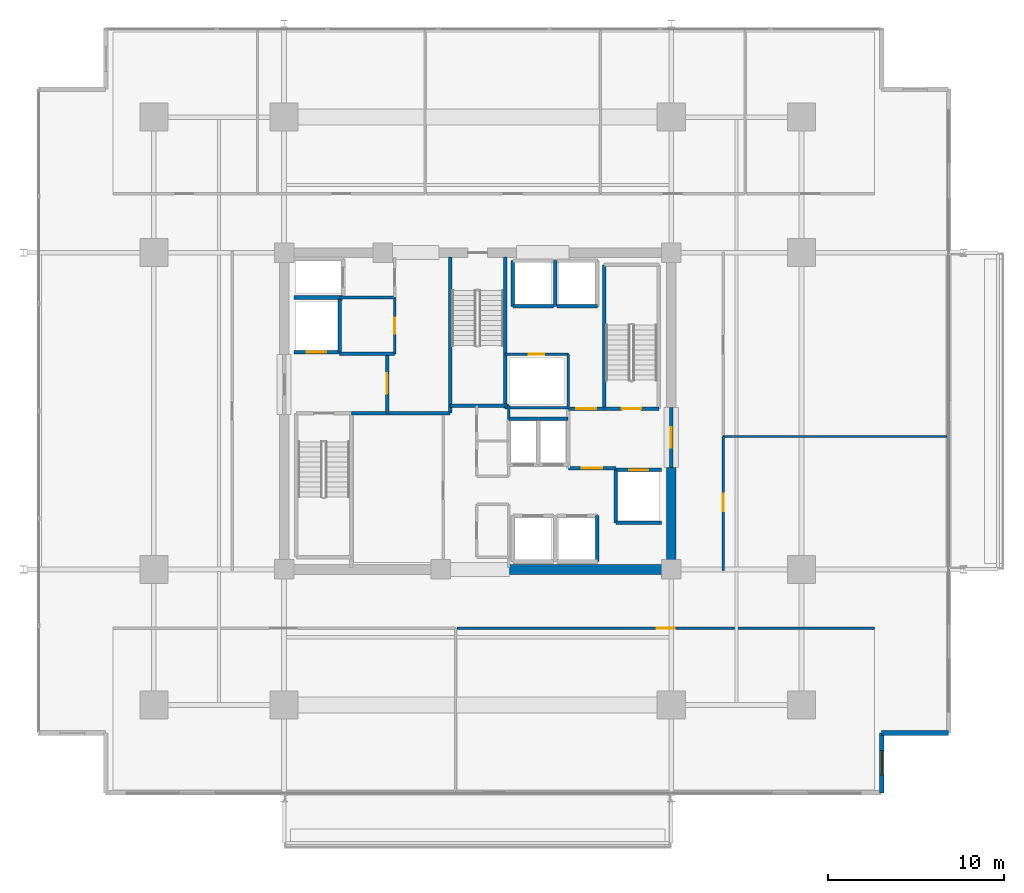
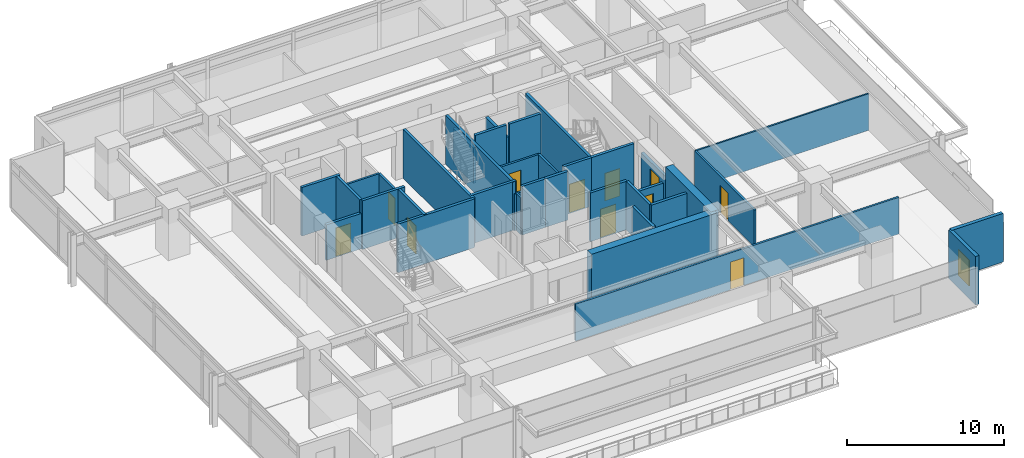
# One storey, part 14 of 21: 37 walls, 11 doors, 1 window, 12 openings.
"""IFC4 building model written with IfcOpenShell, lengths in metres."""

import ifcopenshell
import ifcopenshell.guid

model = None  # the IFC model being written
_history = None  # IfcOwnerHistory: only IFC2X3 demands one
_inside = {}  # id of a spatial element -> (the spatial element, [elements in it])
_under = {}  # id of a project, library or spatial element -> (it, [spatial elements below it])
_declared = {}  # id of a project -> (the project, [libraries it declares])
_typed = {}  # id of a type object -> (the type object, [elements of that type])
_made_of = {}  # id of a material, layer set ... -> (it, [elements and type objects made of it])


def new_model(schema):
    """Start an empty IFC model of exactly this schema.

    Asked for "IFC4X3", IfcOpenShell would pick the latest addendum, in which some entities
    have other attributes; the version numbers below select the first issue.
    IFC2X3 requires an IfcOwnerHistory on every rooted entity: one is made here for all.
    """
    global model, _history
    if schema == "IFC4X3":
        model = ifcopenshell.file(schema_version=(4, 3, 0, 0))
    else:
        model = ifcopenshell.file(schema=schema)
    _inside.clear()
    _under.clear()
    _declared.clear()
    _typed.clear()
    _made_of.clear()
    _history = None
    if model.schema == "IFC2X3":
        org = make("IfcOrganization", Name="unknown")
        user = make(
            "IfcPersonAndOrganization",
            ThePerson=make("IfcPerson", FamilyName="unknown"),
            TheOrganization=org,
        )
        app = make(
            "IfcApplication",
            ApplicationDeveloper=org,
            Version="unknown",
            ApplicationFullName="unknown",
            ApplicationIdentifier="unknown",
        )
        _history = make(
            "IfcOwnerHistory",
            OwningUser=user,
            OwningApplication=app,
            ChangeAction="ADDED",
            CreationDate=0,
        )
    return model


def make(cls, **values):
    """One entity of the class cls with the attributes given. An attribute that is None is left unset."""
    return model.create_entity(
        cls, **{name: value for name, value in values.items() if value is not None}
    )


def rooted(cls, **values):
    """An entity with a GlobalId (a new one), such as an element, a storey or a relation."""
    return make(cls, GlobalId=ifcopenshell.guid.new(), OwnerHistory=_history, **values)


def si_unit(unit_type, name, prefix=None):
    """IfcSIUnit, for example si_unit("LENGTHUNIT", "METRE", prefix="MILLI")."""
    return make("IfcSIUnit", UnitType=unit_type, Prefix=prefix, Name=name)


def assignment(units):
    """IfcUnitAssignment: the units of a project."""
    return None if units is None else make("IfcUnitAssignment", Units=units)


def point(xyz):
    """IfcCartesianPoint."""
    return None if xyz is None else make("IfcCartesianPoint", Coordinates=xyz)


def direction(xyz):
    """IfcDirection."""
    return None if xyz is None else make("IfcDirection", DirectionRatios=xyz)


def frame(location, z_axis=None, x_axis=None):
    """IfcAxis2Placement3D, a coordinate frame: its origin and axes. An axis left out is left unset."""
    return make(
        "IfcAxis2Placement3D",
        Location=point(location),
        Axis=direction(z_axis),
        RefDirection=direction(x_axis),
    )


def frame_2d(location, x_axis=None):
    """IfcAxis2Placement2D, a coordinate frame in the plane: its origin and x axis."""
    return make(
        "IfcAxis2Placement2D", Location=point(location), RefDirection=direction(x_axis)
    )


def origin():
    """The frame at (0, 0, 0) with its axes left unset."""
    return frame((0.0, 0.0, 0.0))


def place(relative_to, where):
    """IfcLocalPlacement: puts the frame where relative to a parent placement (None: the world)."""
    return make(
        "IfcLocalPlacement", PlacementRelTo=relative_to, RelativePlacement=where
    )


def context(
    kind, dimensions, precision=None, world=None, true_north=None, identifier=None
):
    """IfcGeometricRepresentationContext, for example the 3D "Model" context."""
    return make(
        "IfcGeometricRepresentationContext",
        ContextIdentifier=identifier,
        ContextType=kind,
        CoordinateSpaceDimension=dimensions,
        Precision=precision,
        WorldCoordinateSystem=world,
        TrueNorth=true_north,
    )


def subcontext(parent, identifier, kind, view, scale=None):
    """IfcGeometricRepresentationSubContext, for example "Body" below "Model"."""
    return make(
        "IfcGeometricRepresentationSubContext",
        ContextIdentifier=identifier,
        ContextType=kind,
        ParentContext=parent,
        TargetScale=scale,
        TargetView=view,
    )


def project(units=None, contexts=None):
    """IfcProject with its units and contexts."""
    return rooted(
        "IfcProject",
        Name="project",
        RepresentationContexts=contexts,
        UnitsInContext=assignment(units),
    )


def spatial(cls, under=None, at=None, **own):
    """A site, building, storey or space (cls), placed at a placement, below another one or the project."""
    s = rooted(cls, ObjectPlacement=at, **own)
    if under is not None:
        _under.setdefault(under.id(), (under, []))[1].append(s)
    return s


def profile(cls, at=None, kind="AREA", **sizes):
    """A parametric profile (cls). Its sizes go by their IFC names, for example OverallWidth=200.0."""
    return make(cls, ProfileType=kind, Position=at, **sizes)


def rectangle(**sizes):
    """IfcRectangleProfileDef."""
    return profile("IfcRectangleProfileDef", **sizes)


def extrude(swept, where, along, depth):
    """IfcExtrudedAreaSolid: the profile swept, set in the frame where, extruded along a direction by depth."""
    return make(
        "IfcExtrudedAreaSolid",
        SweptArea=swept,
        Position=where,
        ExtrudedDirection=direction(along),
        Depth=depth,
    )


def shape(context_of_items, identifier, shape_type, items):
    """IfcShapeRepresentation: the items that make up one representation, for example the "Body"."""
    return make(
        "IfcShapeRepresentation",
        ContextOfItems=context_of_items,
        RepresentationIdentifier=identifier,
        RepresentationType=shape_type,
        Items=items,
    )


def material(Name=None, Category=None):
    """IfcMaterial."""
    return make("IfcMaterial", Name=Name, Category=Category)


def layer(
    of_material, thickness, ventilated=None, Name=None, Category=None, Priority=None
):
    """IfcMaterialLayer: one layer of a wall or slab, of a material (None: an air gap)."""
    return make(
        "IfcMaterialLayer",
        Material=of_material,
        LayerThickness=thickness,
        IsVentilated=ventilated,
        Name=Name,
        Category=Category,
        Priority=Priority,
    )


def layer_set(layers, Name=None):
    """IfcMaterialLayerSet."""
    return make("IfcMaterialLayerSet", MaterialLayers=layers, LayerSetName=Name)


def made_of(thing, what):
    """Note that an element or type object is made of a material, layer set ...; save() writes the relation."""
    if what is not None:
        _made_of.setdefault(what.id(), (what, []))[1].append(thing)
    return thing


def type_object(cls, material=None, **own):
    """A type object (cls), such as IfcWallType, which elements share."""
    return made_of(rooted(cls, **own), material)


def element(
    cls,
    number,
    at=None,
    inside=None,
    cuts=None,
    type_object=None,
    material=None,
    context=None,
    identifier="Body",
    shape_type=None,
    held_by="IfcProductDefinitionShape",
    body=None,
    shapes=None,
    **own,
):
    """One element of the class cls, such as IfcWall. Its Tag is "e" and its number.

    at: its placement. inside: the storey or other place that contains it. cuts: it is an
    opening in that element (IfcRelVoidsElement). A single representation is given by context,
    identifier, shape_type and body (its items); several are given by shapes. held_by: the class
    of the entity that holds the representations. save() writes the other relations.
    """
    e = rooted(cls, Tag="e%d" % number, ObjectPlacement=at, **own)
    if body is not None:
        shapes = [shape(context, identifier, shape_type, body)]
    if shapes is not None:
        e.Representation = make(held_by, Representations=shapes)
    if inside is not None:
        _inside.setdefault(inside.id(), (inside, []))[1].append(e)
    if cuts is not None:
        rooted(
            "IfcRelVoidsElement", RelatingBuildingElement=cuts, RelatedOpeningElement=e
        )
    if type_object is not None:
        _typed.setdefault(type_object.id(), (type_object, []))[1].append(e)
    return made_of(e, material)


def fill(opening, filler):
    """IfcRelFillsElement: the door or window that sits in an opening."""
    return rooted(
        "IfcRelFillsElement",
        RelatingOpeningElement=opening,
        RelatedBuildingElement=filler,
    )


def aggregate(whole, parts):
    """IfcRelAggregates: a whole, such as a stair, and the parts it consists of."""
    return rooted("IfcRelAggregates", RelatingObject=whole, RelatedObjects=parts)


def save(model, path):
    """Write the relations noted so far, then the file.

    IfcRelAggregates (storeys below a building ...), IfcRelContainedInSpatialStructure (elements
    in a storey), IfcRelDefinesByType, IfcRelAssociatesMaterial and IfcRelDeclares: one each for
    every whole, place, type object, material and project.
    """
    for whole, parts in _under.values():
        aggregate(whole, parts)
    for where, things in _inside.values():
        rooted(
            "IfcRelContainedInSpatialStructure",
            RelatedElements=things,
            RelatingStructure=where,
        )
    for kind, things in _typed.values():
        rooted("IfcRelDefinesByType", RelatedObjects=things, RelatingType=kind)
    for what, things in _made_of.values():
        rooted("IfcRelAssociatesMaterial", RelatedObjects=things, RelatingMaterial=what)
    for by, libraries in _declared.values():
        rooted("IfcRelDeclares", RelatingContext=by, RelatedDefinitions=libraries)
    model.write(path)


model = new_model("IFC4")

# Units and contexts
model_context = context("Model", 3, precision=1e-05, world=origin(), true_north=direction((0.0, 1.0)))
body_context = subcontext(model_context, "Body", "Model", "MODEL_VIEW")
ifc_project = project(units=[si_unit("LENGTHUNIT", "METRE"), si_unit("AREAUNIT", "SQUARE_METRE"), si_unit("VOLUMEUNIT", "CUBIC_METRE"), si_unit("PLANEANGLEUNIT", "RADIAN"), si_unit("MASSUNIT", "GRAM", prefix="KILO")], contexts=[model_context])

# Site, building, storey
site_placement = place(None, origin())
site = spatial("IfcSite", under=ifc_project, at=site_placement, CompositionType="ELEMENT")
building_placement = place(site_placement, origin())
building = spatial("IfcBuilding", under=site, at=building_placement, Name="Kovane Verandah Tower", CompositionType="ELEMENT")
storey_placement = place(building_placement, frame((0.0, 0.0, 176.39990234375)))
storey = spatial("IfcBuildingStorey", under=building, at=storey_placement, Name="L41", CompositionType="ELEMENT", Elevation=176.39990234375)

# Walls
ifc_material_1 = material(Name="Fire-Rated Gypsum Stud Partition", Category="gypsum")
ifc_layer_1 = layer(ifc_material_1, 0.14990234375)
ifc_layer_set_1 = layer_set([ifc_layer_1], Name="Fire-Rated Gypsum Stud Partition")
wall_type_1 = type_object("IfcWallType", Name="WL-COR-150", PredefinedType="PARTITIONING", material=ifc_layer_set_1)
wall_1_placement = place(storey_placement, frame((41.760009765625, 27.050048828125, 0.0), z_axis=(0.0, 0.0, 1.0), x_axis=(0.0, 1.0, 0.0)))
element("IfcWall", 1, at=wall_1_placement, inside=storey, type_object=wall_type_1, Name="L41 Central Core Strip Upper East Wall", PredefinedType="PARTITIONING", context=body_context, shape_type="SweptSolid", body=[
    extrude(rectangle(XDim=0.75, YDim=0.14990234375, at=frame_2d((0.375, 0.0))), origin(), (0.0, 0.0, 1.0), 2.85009765625),
])
wall_2_placement = place(storey_placement, frame((32.14990234375, 33.949951171875, 0.0), z_axis=(0.0, 0.0, 1.0), x_axis=(1.0, 0.0, 0.0)))
element("IfcWall", 2, at=wall_2_placement, inside=storey, type_object=wall_type_1, Name="L41 Goods Lift Lobby South Wall", PredefinedType="PARTITIONING", context=body_context, shape_type="SweptSolid", body=[
    extrude(rectangle(XDim=3.130126953125, YDim=0.14990234375, at=frame_2d((1.56494140625, 0.0))), origin(), (0.0, 0.0, 1.0), 2.85009765625),
])

# Wall, opening, door
wall_3_placement = place(storey_placement, frame((35.280029296875, 30.75, 0.0), z_axis=(0.0, 0.0, 1.0), x_axis=(0.0, 1.0, 0.0)))
wall_3 = element("IfcWall", 3, at=wall_3_placement, inside=storey, type_object=wall_type_1, Name="L41 Accessible Unisex Toilet Partition", PredefinedType="PARTITIONING", context=body_context, shape_type="SweptSolid", body=[
    extrude(rectangle(XDim=3.199951171875, YDim=0.14990234375, at=frame_2d((1.60009765625, 0.0))), origin(), (0.0, 0.0, 1.0), 2.85009765625),
])
opening_1_placement = place(wall_3_placement, frame((1.14990234375, 0.0, 0.0)))
opening_1 = element("IfcOpeningElement", 4, at=opening_1_placement, cuts=wall_3, Name="Opening DR-L41-024", PredefinedType="OPENING", context=body_context, shape_type="SweptSolid", body=[
    extrude(rectangle(XDim=0.89990234375, YDim=2.10009765625, at=frame_2d((0.449951171875, 1.050048828125))), frame((0.0, 0.074951171875, 0.0), z_axis=(0.0, -1.0, 0.0), x_axis=(1.0, 0.0, 0.0)), (0.0, 0.0, 1.0), 0.14990234375),
])
ifc_material_2 = material(Name="Moisture-Resistant Laminate Washroom Door", Category="wood")
door_type_1 = type_object("IfcDoorType", Name="DR-WC-900", OperationType="SINGLE_SWING_LEFT", PredefinedType="DOOR", material=ifc_material_2)
door_1_placement = place(opening_1_placement, origin())
door_1 = element("IfcDoor", 5, at=door_1_placement, inside=storey, type_object=door_type_1, Name="L41 Accessible Unisex Toilet Door", OperationType="SINGLE_SWING_RIGHT", OverallHeight=2.10009765625, OverallWidth=0.89990234375, PredefinedType="DOOR", context=body_context, shape_type="SweptSolid", body=[
    extrude(rectangle(XDim=0.89990234375, YDim=2.10009765625, at=frame_2d((0.449951171875, 1.050048828125))), frame((0.0, 0.02490234375, 0.0), z_axis=(0.0, -1.0, 0.0), x_axis=(1.0, 0.0, 0.0)), (0.0, 0.0, 1.0), 0.050048828125),
])
fill(opening_1, door_1)

# Walls
wall_4_placement = place(storey_placement, frame((41.56005859375, 27.679931640625, 0.0), z_axis=(0.0, 0.0, 1.0), x_axis=(1.0, 0.0, 0.0)))
element("IfcWall", 6, at=wall_4_placement, inside=storey, type_object=wall_type_1, Name="L41 East Core Service Riser South Wall", PredefinedType="PARTITIONING", context=body_context, shape_type="SweptSolid", body=[
    extrude(rectangle(XDim=3.58984375, YDim=0.14990234375, at=frame_2d((1.794921875, 0.0))), origin(), (0.0, 0.0, 1.0), 2.85009765625),
])
wall_5_placement = place(storey_placement, frame((45.14990234375, 27.6201171875, 0.0), z_axis=(0.0, 0.0, 1.0), x_axis=(0.0, 1.0, 0.0)))
element("IfcWall", 7, at=wall_5_placement, inside=storey, type_object=wall_type_1, Name="L41 East Core Service Riser East Wall", PredefinedType="PARTITIONING", context=body_context, shape_type="SweptSolid", body=[
    extrude(rectangle(XDim=3.099853515625, YDim=0.14990234375, at=frame_2d((1.5498046875, 0.0))), origin(), (0.0, 0.0, 1.0), 2.85009765625),
])

# Wall, opening, door
wall_6_placement = place(storey_placement, frame((41.56005859375, 30.719970703125, 0.0), z_axis=(0.0, 0.0, 1.0), x_axis=(1.0, 0.0, 0.0)))
wall_6 = element("IfcWall", 8, at=wall_6_placement, inside=storey, type_object=wall_type_1, Name="L41 Combined Chilled Water and Smoke Duct Room Partition", PredefinedType="PARTITIONING", context=body_context, shape_type="SweptSolid", body=[
    extrude(rectangle(XDim=3.58984375, YDim=0.14990234375, at=frame_2d((1.794921875, 0.0))), origin(), (0.0, 0.0, 1.0), 2.85009765625),
])
opening_2_placement = place(wall_6_placement, frame((1.35498046875, 0.0, 0.0)))
opening_2 = element("IfcOpeningElement", 9, at=opening_2_placement, cuts=wall_6, Name="Opening DR-L41-015", PredefinedType="OPENING", context=body_context, shape_type="SweptSolid", body=[
    extrude(rectangle(XDim=0.8798828125, YDim=2.10009765625, at=frame_2d((0.43994140625, 1.050048828125))), frame((0.0, 0.074951171875, 0.0), z_axis=(0.0, -1.0, 0.0), x_axis=(1.0, 0.0, 0.0)), (0.0, 0.0, 1.0), 0.14990234375),
])
ifc_material_3 = material(Name="Fire-Rated Steel Riser Access Door", Category="steel")
door_type_2 = type_object("IfcDoorType", Name="DR-RISER-880", OperationType="SINGLE_SWING_LEFT", PredefinedType="DOOR", material=ifc_material_3)
door_2_placement = place(opening_2_placement, origin())
door_2 = element("IfcDoor", 10, at=door_2_placement, inside=storey, type_object=door_type_2, Name="L41 Combined Chilled Water and Smoke Duct Room Door", OperationType="SINGLE_SWING_RIGHT", OverallHeight=2.10009765625, OverallWidth=0.8798828125, PredefinedType="DOOR", context=body_context, shape_type="SweptSolid", body=[
    extrude(rectangle(XDim=0.8798828125, YDim=2.10009765625, at=frame_2d((0.43994140625, 1.050048828125))), frame((0.0, 0.02490234375, 0.0), z_axis=(0.0, -1.0, 0.0), x_axis=(1.0, 0.0, 0.0)), (0.0, 0.0, 1.0), 0.050048828125),
])
fill(opening_2, door_2)

wall_7_placement = place(storey_placement, frame((38.8154296875, 15.14990234375, 0.0), z_axis=(0.0, 0.0, 1.0), x_axis=(1.0, 0.0, 0.0)))
wall_7 = element("IfcWall", 11, at=wall_7_placement, inside=storey, type_object=wall_type_1, Name="L41 Meeting Room S2 Corridor Partition", PredefinedType="PARTITIONING", context=body_context, shape_type="SweptSolid", body=[
    extrude(rectangle(XDim=23.740234375, YDim=0.14990234375, at=frame_2d((11.8701171875, 0.0))), origin(), (0.0, 0.0, 1.0), 2.85009765625),
])
opening_3_placement = place(wall_7_placement, frame((11.3701171875, 0.0, 0.0)))
opening_3 = element("IfcOpeningElement", 12, at=opening_3_placement, cuts=wall_7, Name="Opening DR-L41-022", PredefinedType="OPENING", context=body_context, shape_type="SweptSolid", body=[
    extrude(rectangle(XDim=1.0, YDim=2.14990234375, at=frame_2d((0.5, 1.074951171875))), frame((0.0, 0.074951171875, 0.0), z_axis=(0.0, -1.0, 0.0), x_axis=(1.0, 0.0, 0.0)), (0.0, 0.0, 1.0), 0.14990234375),
])
ifc_material_4 = material(Name="FSC Spotted-Gum Timber Fire-Rated Office Door", Category="wood")
door_type_3 = type_object("IfcDoorType", Name="DR-OFF-1000", OperationType="SINGLE_SWING_LEFT", PredefinedType="DOOR", material=ifc_material_4)
door_3_placement = place(opening_3_placement, origin())
door_3 = element("IfcDoor", 13, at=door_3_placement, inside=storey, type_object=door_type_3, Name="L41 Meeting Room S2 Entrance Door", OperationType="SINGLE_SWING_LEFT", OverallHeight=2.14990234375, OverallWidth=1.0, PredefinedType="DOOR", context=body_context, shape_type="SweptSolid", body=[
    extrude(rectangle(XDim=1.0, YDim=2.14990234375, at=frame_2d((0.5, 1.074951171875))), frame((0.0, 0.02490234375, 0.0), z_axis=(0.0, -1.0, 0.0), x_axis=(1.0, 0.0, 0.0)), (0.0, 0.0, 1.0), 0.050048828125),
])
fill(opening_3, door_3)

wall_8_placement = place(storey_placement, frame((53.949951171875, 18.449951171875, 0.0), z_axis=(0.0, 0.0, 1.0), x_axis=(0.0, 1.0, 0.0)))
wall_8 = element("IfcWall", 14, at=wall_8_placement, inside=storey, type_object=wall_type_1, Name="L41 Breakout Pantry E1 Corridor Partition", PredefinedType="PARTITIONING", context=body_context, shape_type="SweptSolid", body=[
    extrude(rectangle(XDim=7.60205078125, YDim=0.14990234375, at=frame_2d((3.801025390625, 0.0))), origin(), (0.0, 0.0, 1.0), 2.85009765625),
])
opening_4_placement = place(wall_8_placement, frame((3.341064453125, 0.0, 0.0)))
opening_4 = element("IfcOpeningElement", 15, at=opening_4_placement, cuts=wall_8, Name="Opening DR-L41-012", PredefinedType="OPENING", context=body_context, shape_type="SweptSolid", body=[
    extrude(rectangle(XDim=1.0, YDim=2.14990234375, at=frame_2d((0.5, 1.074951171875))), frame((0.0, 0.074951171875, 0.0), z_axis=(0.0, -1.0, 0.0), x_axis=(1.0, 0.0, 0.0)), (0.0, 0.0, 1.0), 0.14990234375),
])
door_4_placement = place(opening_4_placement, origin())
door_4 = element("IfcDoor", 16, at=door_4_placement, inside=storey, type_object=door_type_3, Name="L41 Breakout Pantry E1 Entrance Door", OperationType="SINGLE_SWING_LEFT", OverallHeight=2.14990234375, OverallWidth=1.0, PredefinedType="DOOR", context=body_context, shape_type="SweptSolid", body=[
    extrude(rectangle(XDim=1.0, YDim=2.14990234375, at=frame_2d((0.5, 1.074951171875))), frame((0.0, 0.02490234375, 0.0), z_axis=(0.0, -1.0, 0.0), x_axis=(1.0, 0.0, 0.0)), (0.0, 0.0, 1.0), 0.050048828125),
])
fill(opening_4, door_4)

# Walls
ifc_material_5 = material(Name="Concrete C60/75", Category="concrete")
ifc_layer_2 = layer(ifc_material_5, 0.550048828125)
ifc_layer_set_2 = layer_set([ifc_layer_2], Name="Concrete C60/75")
wall_type_2 = type_object("IfcWallType", Name="WL-CORE-550", PredefinedType="SHEAR", material=ifc_layer_set_2)
wall_9_placement = place(storey_placement, frame((41.800048828125, 18.5, 0.0), z_axis=(0.0, 0.0, 1.0), x_axis=(1.0, 0.0, 0.0)))
element("IfcWall", 17, at=wall_9_placement, inside=storey, type_object=wall_type_2, Name="L41 Core Shear Wall CS-2", PredefinedType="SHEAR", context=body_context, shape_type="SweptSolid", body=[
    extrude(rectangle(XDim=9.199951171875, YDim=0.550048828125, at=frame_2d((4.60009765625, 0.0))), origin(), (0.0, 0.0, 1.0), 3.775146484375),
])
wall_10_placement = place(storey_placement, frame((51.0, 18.5, 0.0), z_axis=(0.0, 0.0, 1.0), x_axis=(0.0, 1.0, 0.0)))
element("IfcWall", 18, at=wall_10_placement, inside=storey, type_object=wall_type_2, Name="L41 Core Shear Wall CE-1", PredefinedType="SHEAR", context=body_context, shape_type="SweptSolid", body=[
    extrude(rectangle(XDim=5.800048828125, YDim=0.550048828125, at=frame_2d((2.89990234375, 0.0))), origin(), (0.0, 0.0, 1.0), 3.775146484375),
])

# Wall, opening, door
ifc_material_6 = material(Name="Concrete C45/55 Fire Wall", Category="concrete")
ifc_layer_3 = layer(ifc_material_6, 0.199951171875)
ifc_layer_set_3 = layer_set([ifc_layer_3], Name="Concrete C45/55 Fire Wall")
wall_type_3 = type_object("IfcWallType", Name="WL-FFL-200", PredefinedType="PARTITIONING", material=ifc_layer_set_3)
wall_11_placement = place(storey_placement, frame((34.85009765625, 27.3798828125, 0.0), z_axis=(0.0, 0.0, 1.0), x_axis=(0.0, 1.0, 0.0)))
wall_11 = element("IfcWall", 19, at=wall_11_placement, inside=storey, type_object=wall_type_3, Name="W-L41-FFLW-E", PredefinedType="PARTITIONING", context=body_context, shape_type="SweptSolid", body=[
    extrude(rectangle(XDim=3.3701171875, YDim=0.199951171875, at=frame_2d((1.68505859375, 0.0))), origin(), (0.0, 0.0, 1.0), 3.775146484375),
])
opening_5_placement = place(wall_11_placement, frame((1.110107421875, 0.0, 0.0)))
opening_5 = element("IfcOpeningElement", 20, at=opening_5_placement, cuts=wall_11, Name="Opening DR-L41-006", PredefinedType="OPENING", context=body_context, shape_type="SweptSolid", body=[
    extrude(rectangle(XDim=1.14990234375, YDim=2.199951171875, at=frame_2d((0.574951171875, 1.10009765625))), frame((0.0, 0.10009765625, 0.0), z_axis=(0.0, -1.0, 0.0), x_axis=(1.0, 0.0, 0.0)), (0.0, 0.0, 1.0), 0.199951171875),
])
ifc_material_7 = material(Name="Smoke-Sealed Firefighting Lobby Door", Category="steel")
door_type_4 = type_object("IfcDoorType", Name="DR-FFL-1150", OperationType="SINGLE_SWING_LEFT", PredefinedType="DOOR", material=ifc_material_7)
door_5_placement = place(opening_5_placement, origin())
door_5 = element("IfcDoor", 21, at=door_5_placement, inside=storey, type_object=door_type_4, Name="L41 West Firefighting Lobby Inner Door", OperationType="SINGLE_SWING_LEFT", OverallHeight=2.199951171875, OverallWidth=1.14990234375, PredefinedType="DOOR", context=body_context, shape_type="SweptSolid", body=[
    extrude(rectangle(XDim=1.14990234375, YDim=2.199951171875, at=frame_2d((0.574951171875, 1.10009765625))), frame((0.0, 0.02490234375, 0.0), z_axis=(0.0, -1.0, 0.0), x_axis=(1.0, 0.0, 0.0)), (0.0, 0.0, 1.0), 0.050048828125),
])
fill(opening_5, door_5)

# Walls
wall_12_placement = place(storey_placement, frame((32.820068359375, 27.3798828125, 0.0), z_axis=(0.0, 0.0, 1.0), x_axis=(1.0, 0.0, 0.0)))
element("IfcWall", 22, at=wall_12_placement, inside=storey, type_object=wall_type_3, Name="L41 West Firefighting Lobby South Fire Wall", PredefinedType="PARTITIONING", context=body_context, shape_type="SweptSolid", body=[
    extrude(rectangle(XDim=5.619873046875, YDim=0.199951171875, at=frame_2d((2.81005859375, 0.0))), origin(), (0.0, 0.0, 1.0), 3.775146484375),
])
wall_13_placement = place(storey_placement, frame((32.14990234375, 30.75, 0.0), z_axis=(0.0, 0.0, 1.0), x_axis=(1.0, 0.0, 0.0)))
element("IfcWall", 23, at=wall_13_placement, inside=storey, type_object=wall_type_3, Name="L41 West Firefighting Lobby North Fire Wall", PredefinedType="PARTITIONING", context=body_context, shape_type="SweptSolid", body=[
    extrude(rectangle(XDim=3.130126953125, YDim=0.199951171875, at=frame_2d((1.56494140625, 0.0))), origin(), (0.0, 0.0, 1.0), 3.775146484375),
])

# Wall, opening, door
wall_14_placement = place(storey_placement, frame((45.14990234375, 24.25, 0.0), z_axis=(0.0, 0.0, 1.0), x_axis=(1.0, 0.0, 0.0)))
wall_14 = element("IfcWall", 24, at=wall_14_placement, inside=storey, type_object=wall_type_3, Name="W-L41-FFLE-S", PredefinedType="PARTITIONING", context=body_context, shape_type="SweptSolid", body=[
    extrude(rectangle(XDim=2.7001953125, YDim=0.199951171875, at=frame_2d((1.35009765625, 0.0))), origin(), (0.0, 0.0, 1.0), 3.775146484375),
])
opening_6_placement = place(wall_14_placement, frame((0.77490234375, 0.0, 0.0)))
opening_6 = element("IfcOpeningElement", 25, at=opening_6_placement, cuts=wall_14, Name="Opening DR-L41-003", PredefinedType="OPENING", context=body_context, shape_type="SweptSolid", body=[
    extrude(rectangle(XDim=1.14990234375, YDim=2.199951171875, at=frame_2d((0.574951171875, 1.10009765625))), frame((0.0, 0.10009765625, 0.0), z_axis=(0.0, -1.0, 0.0), x_axis=(1.0, 0.0, 0.0)), (0.0, 0.0, 1.0), 0.199951171875),
])
door_6_placement = place(opening_6_placement, origin())
door_6 = element("IfcDoor", 26, at=door_6_placement, inside=storey, type_object=door_type_4, Name="L41 East Firefighting Lobby Inner Door", OperationType="SINGLE_SWING_RIGHT", OverallHeight=2.199951171875, OverallWidth=1.14990234375, PredefinedType="DOOR", context=body_context, shape_type="SweptSolid", body=[
    extrude(rectangle(XDim=1.14990234375, YDim=2.199951171875, at=frame_2d((0.574951171875, 1.10009765625))), frame((0.0, 0.02490234375, 0.0), z_axis=(0.0, -1.0, 0.0), x_axis=(1.0, 0.0, 0.0)), (0.0, 0.0, 1.0), 0.050048828125),
])
fill(opening_6, door_6)

wall_15_placement = place(storey_placement, frame((45.14990234375, 27.6201171875, 0.0), z_axis=(0.0, 0.0, 1.0), x_axis=(1.0, 0.0, 0.0)))
wall_15 = element("IfcWall", 27, at=wall_15_placement, inside=storey, type_object=wall_type_3, Name="W-L41-FFLE-N", PredefinedType="PARTITIONING", context=body_context, shape_type="SweptSolid", body=[
    extrude(rectangle(XDim=2.030029296875, YDim=0.199951171875, at=frame_2d((1.01513671875, 0.0))), origin(), (0.0, 0.0, 1.0), 3.775146484375),
])
opening_7_placement = place(wall_15_placement, frame((0.43994140625, 0.0, 0.0)))
opening_7 = element("IfcOpeningElement", 28, at=opening_7_placement, cuts=wall_15, Name="Opening DR-L41-004", PredefinedType="OPENING", context=body_context, shape_type="SweptSolid", body=[
    extrude(rectangle(XDim=1.14990234375, YDim=2.199951171875, at=frame_2d((0.574951171875, 1.10009765625))), frame((0.0, 0.10009765625, 0.0), z_axis=(0.0, -1.0, 0.0), x_axis=(1.0, 0.0, 0.0)), (0.0, 0.0, 1.0), 0.199951171875),
])
door_7_placement = place(opening_7_placement, origin())
door_7 = element("IfcDoor", 29, at=door_7_placement, inside=storey, type_object=door_type_4, Name="L41 East Firefighting Lobby Shuttle Link Door", OperationType="SINGLE_SWING_LEFT", OverallHeight=2.199951171875, OverallWidth=1.14990234375, PredefinedType="DOOR", context=body_context, shape_type="SweptSolid", body=[
    extrude(rectangle(XDim=1.14990234375, YDim=2.199951171875, at=frame_2d((0.574951171875, 1.10009765625))), frame((0.0, 0.02490234375, 0.0), z_axis=(0.0, -1.0, 0.0), x_axis=(1.0, 0.0, 0.0)), (0.0, 0.0, 1.0), 0.050048828125),
])
fill(opening_7, door_7)

wall_16_placement = place(storey_placement, frame((51.0, 24.300048828125, 0.0), z_axis=(0.0, 0.0, 1.0), x_axis=(0.0, 1.0, 0.0)))
wall_16 = element("IfcWall", 30, at=wall_16_placement, inside=storey, type_object=wall_type_3, Name="W-L41-FFLE-OUT", PredefinedType="PARTITIONING", context=body_context, shape_type="SweptSolid", body=[
    extrude(rectangle(XDim=3.39990234375, YDim=0.199951171875, at=frame_2d((1.699951171875, 0.0))), origin(), (0.0, 0.0, 1.0), 2.755126953125),
])
opening_8_placement = place(wall_16_placement, frame((1.125, 0.0, 0.0)))
opening_8 = element("IfcOpeningElement", 31, at=opening_8_placement, cuts=wall_16, Name="Opening DR-L41-005", PredefinedType="OPENING", context=body_context, shape_type="SweptSolid", body=[
    extrude(rectangle(XDim=1.14990234375, YDim=2.199951171875, at=frame_2d((0.574951171875, 1.10009765625))), frame((0.0, 0.10009765625, 0.0), z_axis=(0.0, -1.0, 0.0), x_axis=(1.0, 0.0, 0.0)), (0.0, 0.0, 1.0), 0.199951171875),
])
door_8_placement = place(opening_8_placement, origin())
door_8 = element("IfcDoor", 32, at=door_8_placement, inside=storey, type_object=door_type_4, Name="L41 East Firefighting Lobby Corridor Door", OperationType="SINGLE_SWING_LEFT", OverallHeight=2.199951171875, OverallWidth=1.14990234375, PredefinedType="DOOR", context=body_context, shape_type="SweptSolid", body=[
    extrude(rectangle(XDim=1.14990234375, YDim=2.199951171875, at=frame_2d((0.574951171875, 1.10009765625))), frame((0.0, 0.02490234375, 0.0), z_axis=(0.0, -1.0, 0.0), x_axis=(1.0, 0.0, 0.0)), (0.0, 0.0, 1.0), 0.050048828125),
])
fill(opening_8, door_8)

ifc_material_8 = material(Name="Concrete C45/55 Lift Shaft Wall", Category="concrete")
ifc_layer_4 = layer(ifc_material_8, 0.199951171875)
ifc_layer_set_4 = layer_set([ifc_layer_4], Name="Concrete C45/55 Lift Shaft Wall")
wall_type_4 = type_object("IfcWallType", Name="WL-LIFT-200", PredefinedType="SOLIDWALL", material=ifc_layer_set_4)
wall_17_placement = place(storey_placement, frame((29.550048828125, 30.85009765625, 0.0), z_axis=(0.0, 0.0, 1.0), x_axis=(1.0, 0.0, 0.0)))
wall_17 = element("IfcWall", 33, at=wall_17_placement, inside=storey, type_object=wall_type_4, Name="L41 Lift FL-01 S Shaft Wall", PredefinedType="SOLIDWALL", context=body_context, shape_type="SweptSolid", body=[
    extrude(rectangle(XDim=2.599853515625, YDim=0.199951171875, at=frame_2d((1.2998046875, 0.0))), origin(), (0.0, 0.0, 1.0), 2.755126953125),
])
opening_9_placement = place(wall_17_placement, frame((0.75, 0.0, 0.0)))
opening_9 = element("IfcOpeningElement", 34, at=opening_9_placement, cuts=wall_17, Name="Opening LD-L41-001", PredefinedType="OPENING", context=body_context, shape_type="SweptSolid", body=[
    extrude(rectangle(XDim=1.10009765625, YDim=2.199951171875, at=frame_2d((0.550048828125, 1.10009765625))), frame((0.0, 0.10009765625, 0.0), z_axis=(0.0, -1.0, 0.0), x_axis=(1.0, 0.0, 0.0)), (0.0, 0.0, 1.0), 0.199951171875),
])
ifc_material_9 = material(Name="Brushed Stainless Steel Sliding Lift Landing Door", Category="steel")
door_type_5 = type_object("IfcDoorType", Name="DR-LIFT-1100", OperationType="SLIDING_TO_RIGHT", PredefinedType="DOOR", material=ifc_material_9)
door_9_placement = place(opening_9_placement, origin())
door_9 = element("IfcDoor", 35, at=door_9_placement, inside=storey, type_object=door_type_5, Name="L41 Lift FL-01 Sliding Landing Door", OperationType="SLIDING_TO_RIGHT", OverallHeight=2.199951171875, OverallWidth=1.10009765625, PredefinedType="DOOR", context=body_context, shape_type="SweptSolid", body=[
    extrude(rectangle(XDim=1.10009765625, YDim=2.199951171875, at=frame_2d((0.550048828125, 1.10009765625))), frame((0.0, 0.02490234375, 0.0), z_axis=(0.0, -1.0, 0.0), x_axis=(1.0, 0.0, 0.0)), (0.0, 0.0, 1.0), 0.050048828125),
])
fill(opening_9, door_9)

# Walls
wall_18_placement = place(storey_placement, frame((29.550048828125, 33.949951171875, 0.0), z_axis=(0.0, 0.0, 1.0), x_axis=(1.0, 0.0, 0.0)))
element("IfcWall", 36, at=wall_18_placement, inside=storey, type_object=wall_type_4, Name="L41 Lift FL-01 and GL-01 Shared Shaft Wall", PredefinedType="SOLIDWALL", context=body_context, shape_type="SweptSolid", body=[
    extrude(rectangle(XDim=2.800048828125, YDim=0.199951171875, at=frame_2d((1.39990234375, 0.0))), origin(), (0.0, 0.0, 1.0), 3.775146484375),
])
wall_19_placement = place(storey_placement, frame((32.14990234375, 30.85009765625, 0.0), z_axis=(0.0, 0.0, 1.0), x_axis=(0.0, 1.0, 0.0)))
element("IfcWall", 37, at=wall_19_placement, inside=storey, type_object=wall_type_4, Name="L41 Lift FL-01 E Shaft Wall", PredefinedType="SOLIDWALL", context=body_context, shape_type="SweptSolid", body=[
    extrude(rectangle(XDim=3.0, YDim=0.199951171875, at=frame_2d((1.5, 0.0))), origin(), (0.0, 0.0, 1.0), 3.775146484375),
])
wall_20_placement = place(storey_placement, frame((47.85009765625, 21.14990234375, 0.0), z_axis=(0.0, 0.0, 1.0), x_axis=(1.0, 0.0, 0.0)))
element("IfcWall", 38, at=wall_20_placement, inside=storey, type_object=wall_type_4, Name="L41 Lift FL-02 S Shaft Wall", PredefinedType="SOLIDWALL", context=body_context, shape_type="SweptSolid", body=[
    extrude(rectangle(XDim=2.599853515625, YDim=0.199951171875, at=frame_2d((1.2998046875, 0.0))), origin(), (0.0, 0.0, 1.0), 3.775146484375),
])

# Wall, opening, door
wall_21_placement = place(storey_placement, frame((50.449951171875, 24.14990234375, 0.0), z_axis=(0.0, 0.0, 1.0), x_axis=(-1.0, 0.0, 0.0)))
wall_21 = element("IfcWall", 39, at=wall_21_placement, inside=storey, type_object=wall_type_4, Name="L41 Lift FL-02 N Shaft Wall", PredefinedType="SOLIDWALL", context=body_context, shape_type="SweptSolid", body=[
    extrude(rectangle(XDim=2.599853515625, YDim=0.199951171875, at=frame_2d((1.2998046875, 0.0))), origin(), (0.0, 0.0, 1.0), 2.755126953125),
])
opening_10_placement = place(wall_21_placement, frame((0.75, 0.0, 0.0)))
opening_10 = element("IfcOpeningElement", 40, at=opening_10_placement, cuts=wall_21, Name="Opening LD-L41-002", PredefinedType="OPENING", context=body_context, shape_type="SweptSolid", body=[
    extrude(rectangle(XDim=1.10009765625, YDim=2.199951171875, at=frame_2d((0.550048828125, 1.10009765625))), frame((0.0, 0.10009765625, 0.0), z_axis=(0.0, -1.0, 0.0), x_axis=(1.0, 0.0, 0.0)), (0.0, 0.0, 1.0), 0.199951171875),
])
door_10_placement = place(opening_10_placement, origin())
door_10 = element("IfcDoor", 41, at=door_10_placement, inside=storey, type_object=door_type_5, Name="L41 Lift FL-02 Sliding Landing Door", OperationType="SLIDING_TO_RIGHT", OverallHeight=2.199951171875, OverallWidth=1.10009765625, PredefinedType="DOOR", context=body_context, shape_type="SweptSolid", body=[
    extrude(rectangle(XDim=1.10009765625, YDim=2.199951171875, at=frame_2d((0.550048828125, 1.10009765625))), frame((0.0, 0.02490234375, 0.0), z_axis=(0.0, -1.0, 0.0), x_axis=(1.0, 0.0, 0.0)), (0.0, 0.0, 1.0), 0.050048828125),
])
fill(opening_10, door_10)

# Walls
wall_22_placement = place(storey_placement, frame((47.85009765625, 24.14990234375, 0.0), z_axis=(0.0, 0.0, 1.0), x_axis=(0.0, -1.0, 0.0)))
element("IfcWall", 42, at=wall_22_placement, inside=storey, type_object=wall_type_4, Name="L41 Lift FL-02 W Shaft Wall", PredefinedType="SOLIDWALL", context=body_context, shape_type="SweptSolid", body=[
    extrude(rectangle(XDim=3.0, YDim=0.199951171875, at=frame_2d((1.5, 0.0))), origin(), (0.0, 0.0, 1.0), 3.775146484375),
])
wall_23_placement = place(storey_placement, frame((46.800048828125, 18.949951171875, 0.0), z_axis=(0.0, 0.0, 1.0), x_axis=(0.0, 1.0, 0.0)))
element("IfcWall", 43, at=wall_23_placement, inside=storey, type_object=wall_type_4, Name="L41 Lift PL-M2 E Shaft Wall", PredefinedType="SOLIDWALL", context=body_context, shape_type="SweptSolid", body=[
    extrude(rectangle(XDim=2.60009765625, YDim=0.199951171875, at=frame_2d((1.300048828125, 0.0))), origin(), (0.0, 0.0, 1.0), 3.775146484375),
])
wall_24_placement = place(storey_placement, frame((43.43994140625, 27.050048828125, 0.0), z_axis=(0.0, 0.0, 1.0), x_axis=(-1.0, 0.0, 0.0)))
element("IfcWall", 44, at=wall_24_placement, inside=storey, type_object=wall_type_4, Name="L41 Lift PL-M3 N Shaft Wall", PredefinedType="SOLIDWALL", context=body_context, shape_type="SweptSolid", body=[
    extrude(rectangle(XDim=1.679931640625, YDim=0.199951171875, at=frame_2d((0.83984375, 0.0))), origin(), (0.0, 0.0, 1.0), 3.775146484375),
])
wall_25_placement = place(storey_placement, frame((45.1201171875, 27.050048828125, 0.0), z_axis=(0.0, 0.0, 1.0), x_axis=(-1.0, 0.0, 0.0)))
element("IfcWall", 45, at=wall_25_placement, inside=storey, type_object=wall_type_4, Name="L41 Lift PL-M4 N Shaft Wall", PredefinedType="SOLIDWALL", context=body_context, shape_type="SweptSolid", body=[
    extrude(rectangle(XDim=1.66015625, YDim=0.199951171875, at=frame_2d((0.830078125, 0.0))), origin(), (0.0, 0.0, 1.0), 3.775146484375),
])
wall_26_placement = place(storey_placement, frame((42.0, 33.449951171875, 0.0), z_axis=(0.0, 0.0, 1.0), x_axis=(1.0, 0.0, 0.0)))
element("IfcWall", 46, at=wall_26_placement, inside=storey, type_object=wall_type_4, Name="L41 Lift SL-01 S Shaft Wall", PredefinedType="SOLIDWALL", context=body_context, shape_type="SweptSolid", body=[
    extrude(rectangle(XDim=2.300048828125, YDim=0.199951171875, at=frame_2d((1.14990234375, 0.0))), origin(), (0.0, 0.0, 1.0), 3.775146484375),
])
for number, where, z_axis, x_axis, name in (
    (47, (42.0, 36.050048828125, 0.0), (0.0, 0.0, 1.0), (0.0, -1.0, 0.0), "L41 Lift SL-01 W Shaft Wall"),
    (48, (44.39990234375, 33.449951171875, 0.0), (0.0, 0.0, 1.0), (0.0, 1.0, 0.0), "L41 Lift OL-01 and SL-01 Shared Shaft Wall"),
):
    element("IfcWall", number, at=place(storey_placement, frame(where, z_axis=z_axis, x_axis=x_axis)), inside=storey, type_object=wall_type_4, Name=name, PredefinedType="SOLIDWALL", context=body_context, shape_type="SweptSolid", body=[
        extrude(rectangle(XDim=2.60009765625, YDim=0.199951171875, at=frame_2d((1.300048828125, 0.0))), origin(), (0.0, 0.0, 1.0), 2.755126953125),
    ])
wall_27_placement = place(storey_placement, frame((44.5, 33.449951171875, 0.0), z_axis=(0.0, 0.0, 1.0), x_axis=(1.0, 0.0, 0.0)))
element("IfcWall", 49, at=wall_27_placement, inside=storey, type_object=wall_type_4, Name="L41 Lift OL-01 S Shaft Wall", PredefinedType="SOLIDWALL", context=body_context, shape_type="SweptSolid", body=[
    extrude(rectangle(XDim=2.300048828125, YDim=0.199951171875, at=frame_2d((1.14990234375, 0.0))), origin(), (0.0, 0.0, 1.0), 3.775146484375),
])
ifc_material_10 = material(Name="Acoustic Fire-Rated Gypsum Partition", Category="gypsum")
ifc_layer_5 = layer(ifc_material_10, 0.1201171875)
ifc_layer_set_5 = layer_set([ifc_layer_5], Name="Acoustic Fire-Rated Gypsum Partition")
wall_type_5 = type_object("IfcWallType", Name="WL-PART-120", PredefinedType="PARTITIONING", material=ifc_layer_set_5)
wall_28_placement = place(storey_placement, frame((53.949951171875, 26.052001953125, 0.0), z_axis=(0.0, 0.0, 1.0), x_axis=(1.0, 0.0, 0.0)))
element("IfcWall", 50, at=wall_28_placement, inside=storey, type_object=wall_type_5, Name="L41 Breakout Pantry E1 Dividing Partition", PredefinedType="PARTITIONING", context=body_context, shape_type="SweptSolid", body=[
    extrude(rectangle(XDim=12.705810546875, YDim=0.1201171875, at=frame_2d((6.35302734375, 0.0))), origin(), (0.0, 0.0, 1.0), 2.85009765625),
])
ifc_material_11 = material(Name="Concrete C45/55", Category="concrete")
ifc_layer_6 = layer(ifc_material_11, 0.199951171875)
ifc_layer_set_6 = layer_set([ifc_layer_6], Name="Concrete C45/55")
wall_type_6 = type_object("IfcWallType", Name="WL-SHAFT-200", PredefinedType="SOLIDWALL", material=ifc_layer_set_6)
wall_29_placement = place(storey_placement, frame((47.179931640625, 27.6201171875, 0.0), z_axis=(0.0, 0.0, 1.0), x_axis=(0.0, 1.0, 0.0)))
element("IfcWall", 51, at=wall_29_placement, inside=storey, type_object=wall_type_6, Name="W-L41-ST02-W", PredefinedType="SOLIDWALL", context=body_context, shape_type="SweptSolid", body=[
    extrude(rectangle(XDim=8.179931640625, YDim=0.199951171875, at=frame_2d((4.08984375, 0.0))), origin(), (0.0, 0.0, 1.0), 3.775146484375),
])

# Wall, opening, door
wall_30_placement = place(storey_placement, frame((47.179931640625, 27.6201171875, 0.0), z_axis=(0.0, 0.0, 1.0), x_axis=(1.0, 0.0, 0.0)))
wall_30 = element("IfcWall", 52, at=wall_30_placement, inside=storey, type_object=wall_type_6, Name="W-L41-ST02-S", PredefinedType="SOLIDWALL", context=body_context, shape_type="SweptSolid", body=[
    extrude(rectangle(XDim=3.1201171875, YDim=0.199951171875, at=frame_2d((1.56005859375, 0.0))), origin(), (0.0, 0.0, 1.0), 3.775146484375),
])
opening_11_placement = place(wall_30_placement, frame((1.010009765625, 0.0, 0.0)))
opening_11 = element("IfcOpeningElement", 53, at=opening_11_placement, cuts=wall_30, Name="Opening DR-L41-010", PredefinedType="OPENING", context=body_context, shape_type="SweptSolid", body=[
    extrude(rectangle(XDim=1.10009765625, YDim=2.14990234375, at=frame_2d((0.550048828125, 1.074951171875))), frame((0.0, 0.10009765625, 0.0), z_axis=(0.0, -1.0, 0.0), x_axis=(1.0, 0.0, 0.0)), (0.0, 0.0, 1.0), 0.199951171875),
])
ifc_material_12 = material(Name="Fire-Rated Steel Exit Door", Category="steel")
door_type_6 = type_object("IfcDoorType", Name="DR-STAIR-1100", OperationType="SINGLE_SWING_LEFT", PredefinedType="DOOR", material=ifc_material_12)
door_11_placement = place(opening_11_placement, origin())
door_11 = element("IfcDoor", 54, at=door_11_placement, inside=storey, type_object=door_type_6, Name="L41 ST-02 Fire Exit Stair Door", OperationType="SINGLE_SWING_RIGHT", OverallHeight=2.14990234375, OverallWidth=1.10009765625, PredefinedType="DOOR", context=body_context, shape_type="SweptSolid", body=[
    extrude(rectangle(XDim=1.10009765625, YDim=2.14990234375, at=frame_2d((0.550048828125, 1.074951171875))), frame((0.0, 0.02490234375, 0.0), z_axis=(0.0, -1.0, 0.0), x_axis=(1.0, 0.0, 0.0)), (0.0, 0.0, 1.0), 0.050048828125),
])
fill(opening_11, door_11)

# Walls
wall_31_placement = place(storey_placement, frame((38.43994140625, 27.3798828125, 0.0), z_axis=(0.0, 0.0, 1.0), x_axis=(0.0, 1.0, 0.0)))
element("IfcWall", 55, at=wall_31_placement, inside=storey, type_object=wall_type_6, Name="W-L41-ST03-W", PredefinedType="SOLIDWALL", context=body_context, shape_type="SweptSolid", body=[
    extrude(rectangle(XDim=8.8701171875, YDim=0.199951171875, at=frame_2d((4.43505859375, 0.0))), origin(), (0.0, 0.0, 1.0), 3.775146484375),
])
wall_32_placement = place(storey_placement, frame((41.56005859375, 27.679931640625, 0.0), z_axis=(0.0, 0.0, 1.0), x_axis=(0.0, 1.0, 0.0)))
element("IfcWall", 56, at=wall_32_placement, inside=storey, type_object=wall_type_6, Name="W-L41-ST03-E", PredefinedType="SOLIDWALL", context=body_context, shape_type="SweptSolid", body=[
    extrude(rectangle(XDim=8.570068359375, YDim=0.199951171875, at=frame_2d((4.28515625, 0.0))), origin(), (0.0, 0.0, 1.0), 3.775146484375),
])
wall_33_placement = place(storey_placement, frame((38.43994140625, 27.800048828125, 0.0), z_axis=(0.0, 0.0, 1.0), x_axis=(1.0, 0.0, 0.0)))
element("IfcWall", 57, at=wall_33_placement, inside=storey, type_object=wall_type_6, Name="W-L41-ST03-S", PredefinedType="SOLIDWALL", context=body_context, shape_type="SweptSolid", body=[
    extrude(rectangle(XDim=3.320068359375, YDim=0.199951171875, at=frame_2d((1.66015625, 0.0))), origin(), (0.0, 0.0, 1.0), 3.775146484375),
])

# Wall, opening, window
ifc_material_13 = material(Name="Concrete C45/55 Insulated Spandrel Wall", Category="concrete")
ifc_layer_7 = layer(ifc_material_13, 0.260009765625)
ifc_layer_set_7 = layer_set([ifc_layer_7], Name="Concrete C45/55 Insulated Spandrel Wall")
wall_type_7 = type_object("IfcWallType", Name="WL-SPANDREL-260", PredefinedType="PARAPET", material=ifc_layer_set_7)
wall_34_placement = place(storey_placement, frame((62.955810546875, 5.804931640625, 0.0), z_axis=(0.0, 0.0, 1.0), x_axis=(0.0, 1.0, 0.0)))
wall_34 = element("IfcWall", 58, at=wall_34_placement, inside=storey, type_object=wall_type_7, Name="L41 SE Notch Cheek Wall 1", PredefinedType="PARAPET", context=body_context, shape_type="SweptSolid", body=[
    extrude(rectangle(XDim=3.400146484375, YDim=0.260009765625, at=frame_2d((1.7001953125, 0.0))), origin(), (0.0, 0.0, 1.0), 3.775146484375),
])
opening_12_placement = place(wall_34_placement, frame((1.0, 0.0, 0.85009765625)))
opening_12 = element("IfcOpeningElement", 59, at=opening_12_placement, cuts=wall_34, Name="Opening W-01", PredefinedType="OPENING", context=body_context, shape_type="SweptSolid", body=[
    extrude(rectangle(XDim=1.39990234375, YDim=2.0, at=frame_2d((0.699951171875, 1.0))), frame((0.0, 0.1298828125, 0.0), z_axis=(0.0, -1.0, 0.0), x_axis=(1.0, 0.0, 0.0)), (0.0, 0.0, 1.0), 0.260009765625),
])
ifc_material_14 = material(Name="Clear Low-E Laminated Double Glazing in Anodised Frame", Category="glass")
window_type = type_object("IfcWindowType", Name="WN-OPER-1400x2000", PartitioningType="SINGLE_PANEL", PredefinedType="WINDOW", material=ifc_material_14)
window_placement = place(opening_12_placement, origin())
window = element("IfcWindow", 60, at=window_placement, inside=storey, type_object=window_type, Name="L41 SE Re-Entrant Corner Operable Window", OverallHeight=2.0, OverallWidth=1.39990234375, PartitioningType="SINGLE_PANEL", PredefinedType="WINDOW", context=body_context, shape_type="SweptSolid", body=[
    extrude(rectangle(XDim=1.39990234375, YDim=2.0, at=frame_2d((0.699951171875, 1.0))), frame((0.0, 0.030029296875, 0.0), z_axis=(0.0, -1.0, 0.0), x_axis=(1.0, 0.0, 0.0)), (0.0, 0.0, 1.0), 0.06005859375),
])
fill(opening_12, window)

# Wall
wall_35_placement = place(storey_placement, frame((62.955810546875, 9.205078125, 0.0), z_axis=(0.0, 0.0, 1.0), x_axis=(1.0, 0.0, 0.0)))
element("IfcWall", 61, at=wall_35_placement, inside=storey, type_object=wall_type_7, Name="L41 SE Notch Cheek Wall 2", PredefinedType="PARAPET", context=body_context, shape_type="SweptSolid", body=[
    extrude(rectangle(XDim=3.7998046875, YDim=0.260009765625, at=frame_2d((1.89990234375, 0.0))), origin(), (0.0, 0.0, 1.0), 3.775146484375),
])

save(model, "model.ifc")
